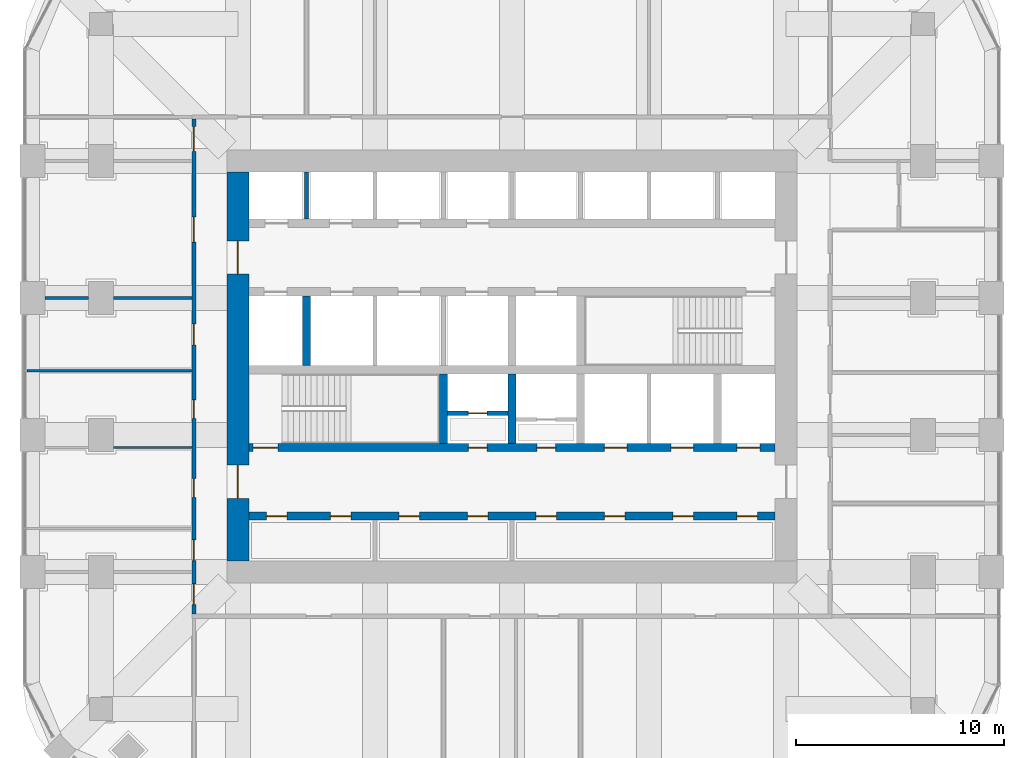
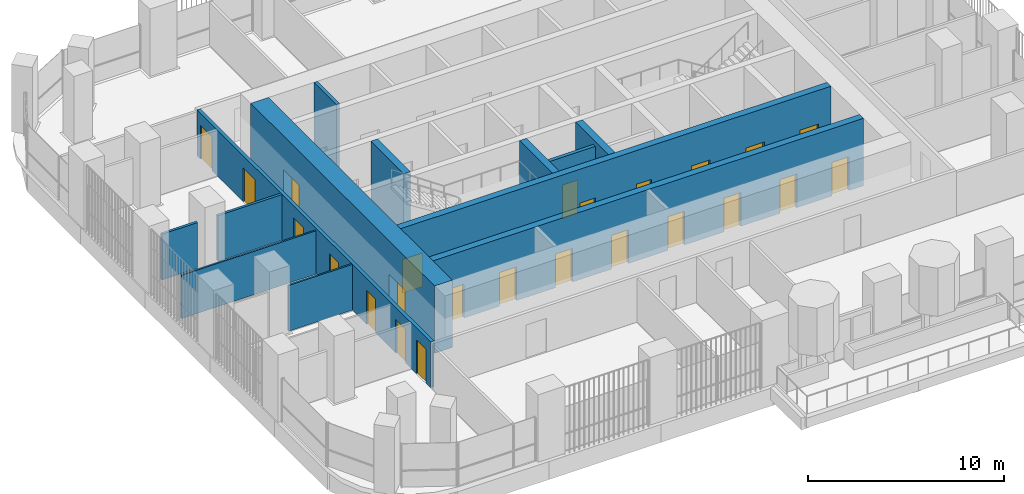
# One storey, part 13 of 19: 24 doors, 13 walls, 24 openings.
"""IFC4 building model written with IfcOpenShell, lengths in metres."""

from ifc_helpers import new_model, si_unit, direction, frame, frame_2d, origin, place, context, subcontext, project, spatial, rectangle, extrude, material, layer, layer_set, type_object, element, fill, save


model = new_model("IFC4")

# Units and contexts
model_context = context("Model", 3, precision=1e-05, world=origin(), true_north=direction((0.0, 1.0)))
body_context = subcontext(model_context, "Body", "Model", "MODEL_VIEW")
ifc_project = project(units=[si_unit("LENGTHUNIT", "METRE"), si_unit("AREAUNIT", "SQUARE_METRE"), si_unit("VOLUMEUNIT", "CUBIC_METRE"), si_unit("PLANEANGLEUNIT", "RADIAN"), si_unit("MASSUNIT", "GRAM", prefix="KILO")], contexts=[model_context])

# Site, building, storey
site_placement = place(None, origin())
site = spatial("IfcSite", under=ifc_project, at=site_placement, CompositionType="ELEMENT")
building_placement = place(site_placement, origin())
building = spatial("IfcBuilding", under=site, at=building_placement, Name="Cobogo Forest Laboratory Tower", CompositionType="ELEMENT")
storey_placement = place(building_placement, frame((0.0, 0.0, 197.699951171875)))
storey = spatial("IfcBuildingStorey", under=building, at=storey_placement, Name="L45", CompositionType="ELEMENT", Elevation=197.699951171875)

# Wall, openings, doors
ifc_material_1 = material(Name="Concrete HA-50 (C50/60)", Category="concrete")
ifc_layer_1 = layer(ifc_material_1, 0.39990234375)
ifc_layer_set_1 = layer_set([ifc_layer_1], Name="CI400 core inner wall 400")
wall_type_1 = type_object("IfcWallType", Name="CI400 core inner wall 400", PredefinedType="SHEAR", material=ifc_layer_set_1)
wall_1_placement = place(storey_placement, frame((13.72509765625, 15.89990234375, 0.0), z_axis=(0.0, 0.0, 1.0), x_axis=(1.0, 0.0, 0.0)))
wall_1 = element("IfcWall", 1, at=wall_1_placement, inside=storey, type_object=wall_type_1, Name="Core wall CI-15.9 L45", PredefinedType="SHEAR", context=body_context, shape_type="SweptSolid", body=[
    extrude(rectangle(XDim=25.349853515625, YDim=0.39990234375, at=frame_2d((12.6748046875, 0.0))), origin(), (0.0, 0.0, 1.0), 4.199951171875),
])
opening_1_placement = place(wall_1_placement, frame((0.83740234375, 0.0, 0.0)))
opening_1 = element("IfcOpeningElement", 2, at=opening_1_placement, cuts=wall_1, Name="Opening L45-D09", PredefinedType="OPENING", context=body_context, shape_type="SweptSolid", body=[
    extrude(rectangle(XDim=1.0, YDim=2.10009765625, at=frame_2d((0.5, 1.050048828125))), frame((0.0, 0.2099609375, 0.0), z_axis=(0.0, -1.0, 0.0), x_axis=(1.0, 0.0, 0.0)), (0.0, 0.0, 1.0), 0.419921875),
])
opening_2_placement = place(wall_1_placement, frame((3.925048828125, 0.0, 0.0)))
opening_2 = element("IfcOpeningElement", 3, at=opening_2_placement, cuts=wall_1, Name="Opening L45-D10", PredefinedType="OPENING", context=body_context, shape_type="SweptSolid", body=[
    extrude(rectangle(XDim=1.0, YDim=2.10009765625, at=frame_2d((0.5, 1.050048828125))), frame((0.0, 0.2099609375, 0.0), z_axis=(0.0, -1.0, 0.0), x_axis=(1.0, 0.0, 0.0)), (0.0, 0.0, 1.0), 0.419921875),
])
opening_3_placement = place(wall_1_placement, frame((7.22509765625, 0.0, 0.0)))
opening_3 = element("IfcOpeningElement", 4, at=opening_3_placement, cuts=wall_1, Name="Opening L45-D11", PredefinedType="OPENING", context=body_context, shape_type="SweptSolid", body=[
    extrude(rectangle(XDim=1.0, YDim=2.10009765625, at=frame_2d((0.5, 1.050048828125))), frame((0.0, 0.2099609375, 0.0), z_axis=(0.0, -1.0, 0.0), x_axis=(1.0, 0.0, 0.0)), (0.0, 0.0, 1.0), 0.419921875),
])
opening_4_placement = place(wall_1_placement, frame((10.52490234375, 0.0, 0.0)))
opening_4 = element("IfcOpeningElement", 5, at=opening_4_placement, cuts=wall_1, Name="Opening L45-D12", PredefinedType="OPENING", context=body_context, shape_type="SweptSolid", body=[
    extrude(rectangle(XDim=1.0, YDim=2.10009765625, at=frame_2d((0.5, 1.050048828125))), frame((0.0, 0.2099609375, 0.0), z_axis=(0.0, -1.0, 0.0), x_axis=(1.0, 0.0, 0.0)), (0.0, 0.0, 1.0), 0.419921875),
])
opening_5_placement = place(wall_1_placement, frame((13.824951171875, 0.0, 0.0)))
opening_5 = element("IfcOpeningElement", 6, at=opening_5_placement, cuts=wall_1, Name="Opening L45-D13", PredefinedType="OPENING", context=body_context, shape_type="SweptSolid", body=[
    extrude(rectangle(XDim=1.0, YDim=2.10009765625, at=frame_2d((0.5, 1.050048828125))), frame((0.0, 0.2099609375, 0.0), z_axis=(0.0, -1.0, 0.0), x_axis=(1.0, 0.0, 0.0)), (0.0, 0.0, 1.0), 0.419921875),
])
opening_6_placement = place(wall_1_placement, frame((17.125, 0.0, 0.0)))
opening_6 = element("IfcOpeningElement", 7, at=opening_6_placement, cuts=wall_1, Name="Opening L45-D14", PredefinedType="OPENING", context=body_context, shape_type="SweptSolid", body=[
    extrude(rectangle(XDim=1.0, YDim=2.10009765625, at=frame_2d((0.5, 1.050048828125))), frame((0.0, 0.2099609375, 0.0), z_axis=(0.0, -1.0, 0.0), x_axis=(1.0, 0.0, 0.0)), (0.0, 0.0, 1.0), 0.419921875),
])
opening_7_placement = place(wall_1_placement, frame((20.425048828125, 0.0, 0.0)))
opening_7 = element("IfcOpeningElement", 8, at=opening_7_placement, cuts=wall_1, Name="Opening L45-D15", PredefinedType="OPENING", context=body_context, shape_type="SweptSolid", body=[
    extrude(rectangle(XDim=1.0, YDim=2.10009765625, at=frame_2d((0.5, 1.050048828125))), frame((0.0, 0.2099609375, 0.0), z_axis=(0.0, -1.0, 0.0), x_axis=(1.0, 0.0, 0.0)), (0.0, 0.0, 1.0), 0.419921875),
])
opening_8_placement = place(wall_1_placement, frame((23.512451171875, 0.0, 0.0)))
opening_8 = element("IfcOpeningElement", 9, at=opening_8_placement, cuts=wall_1, Name="Opening L45-D16", PredefinedType="OPENING", context=body_context, shape_type="SweptSolid", body=[
    extrude(rectangle(XDim=1.0, YDim=2.10009765625, at=frame_2d((0.5, 1.050048828125))), frame((0.0, 0.2099609375, 0.0), z_axis=(0.0, -1.0, 0.0), x_axis=(1.0, 0.0, 0.0)), (0.0, 0.0, 1.0), 0.419921875),
])
ifc_material_2 = material(Name="Steel fire door", Category="steel")
door_type_1 = type_object("IfcDoorType", Name="FD1 fire door 1000 EI2 60", OperationType="SINGLE_SWING_LEFT", PredefinedType="DOOR", material=ifc_material_2)
door_1_placement = place(opening_1_placement, origin())
door_1 = element("IfcDoor", 10, at=door_1_placement, inside=storey, type_object=door_type_1, Name="Door L45-SH-LA1", OperationType="SINGLE_SWING_LEFT", OverallHeight=2.10009765625, OverallWidth=1.0, PredefinedType="DOOR", context=body_context, shape_type="SweptSolid", body=[
    extrude(rectangle(XDim=1.0, YDim=2.10009765625, at=frame_2d((0.5, 1.050048828125))), frame((0.0, 0.02490234375, 0.0), z_axis=(0.0, -1.0, 0.0), x_axis=(1.0, 0.0, 0.0)), (0.0, 0.0, 1.0), 0.050048828125),
])
fill(opening_1, door_1)
door_2_placement = place(opening_2_placement, origin())
door_2 = element("IfcDoor", 11, at=door_2_placement, inside=storey, type_object=door_type_1, Name="Door L45-SH-LA2", OperationType="SINGLE_SWING_LEFT", OverallHeight=2.10009765625, OverallWidth=1.0, PredefinedType="DOOR", context=body_context, shape_type="SweptSolid", body=[
    extrude(rectangle(XDim=1.0, YDim=2.10009765625, at=frame_2d((0.5, 1.050048828125))), frame((0.0, 0.02490234375, 0.0), z_axis=(0.0, -1.0, 0.0), x_axis=(1.0, 0.0, 0.0)), (0.0, 0.0, 1.0), 0.050048828125),
])
fill(opening_2, door_2)
door_3_placement = place(opening_3_placement, origin())
door_3 = element("IfcDoor", 12, at=door_3_placement, inside=storey, type_object=door_type_1, Name="Door L45-SH-LA3", OperationType="SINGLE_SWING_LEFT", OverallHeight=2.10009765625, OverallWidth=1.0, PredefinedType="DOOR", context=body_context, shape_type="SweptSolid", body=[
    extrude(rectangle(XDim=1.0, YDim=2.10009765625, at=frame_2d((0.5, 1.050048828125))), frame((0.0, 0.02490234375, 0.0), z_axis=(0.0, -1.0, 0.0), x_axis=(1.0, 0.0, 0.0)), (0.0, 0.0, 1.0), 0.050048828125),
])
fill(opening_3, door_3)
door_4_placement = place(opening_4_placement, origin())
door_4 = element("IfcDoor", 13, at=door_4_placement, inside=storey, type_object=door_type_1, Name="Door L45-SH-LA4", OperationType="SINGLE_SWING_LEFT", OverallHeight=2.10009765625, OverallWidth=1.0, PredefinedType="DOOR", context=body_context, shape_type="SweptSolid", body=[
    extrude(rectangle(XDim=1.0, YDim=2.10009765625, at=frame_2d((0.5, 1.050048828125))), frame((0.0, 0.02490234375, 0.0), z_axis=(0.0, -1.0, 0.0), x_axis=(1.0, 0.0, 0.0)), (0.0, 0.0, 1.0), 0.050048828125),
])
fill(opening_4, door_4)
door_5_placement = place(opening_5_placement, origin())
door_5 = element("IfcDoor", 14, at=door_5_placement, inside=storey, type_object=door_type_1, Name="Door L45-SH-LB1", OperationType="SINGLE_SWING_RIGHT", OverallHeight=2.10009765625, OverallWidth=1.0, PredefinedType="DOOR", context=body_context, shape_type="SweptSolid", body=[
    extrude(rectangle(XDim=1.0, YDim=2.10009765625, at=frame_2d((0.5, 1.050048828125))), frame((0.0, 0.02490234375, 0.0), z_axis=(0.0, -1.0, 0.0), x_axis=(1.0, 0.0, 0.0)), (0.0, 0.0, 1.0), 0.050048828125),
])
fill(opening_5, door_5)
door_6_placement = place(opening_6_placement, origin())
door_6 = element("IfcDoor", 15, at=door_6_placement, inside=storey, type_object=door_type_1, Name="Door L45-SH-LB2", OperationType="SINGLE_SWING_RIGHT", OverallHeight=2.10009765625, OverallWidth=1.0, PredefinedType="DOOR", context=body_context, shape_type="SweptSolid", body=[
    extrude(rectangle(XDim=1.0, YDim=2.10009765625, at=frame_2d((0.5, 1.050048828125))), frame((0.0, 0.02490234375, 0.0), z_axis=(0.0, -1.0, 0.0), x_axis=(1.0, 0.0, 0.0)), (0.0, 0.0, 1.0), 0.050048828125),
])
fill(opening_6, door_6)
door_7_placement = place(opening_7_placement, origin())
door_7 = element("IfcDoor", 16, at=door_7_placement, inside=storey, type_object=door_type_1, Name="Door L45-SH-LB3", OperationType="SINGLE_SWING_RIGHT", OverallHeight=2.10009765625, OverallWidth=1.0, PredefinedType="DOOR", context=body_context, shape_type="SweptSolid", body=[
    extrude(rectangle(XDim=1.0, YDim=2.10009765625, at=frame_2d((0.5, 1.050048828125))), frame((0.0, 0.02490234375, 0.0), z_axis=(0.0, -1.0, 0.0), x_axis=(1.0, 0.0, 0.0)), (0.0, 0.0, 1.0), 0.050048828125),
])
fill(opening_7, door_7)
door_8_placement = place(opening_8_placement, origin())
door_8 = element("IfcDoor", 17, at=door_8_placement, inside=storey, type_object=door_type_1, Name="Door L45-SH-LB4", OperationType="SINGLE_SWING_RIGHT", OverallHeight=2.10009765625, OverallWidth=1.0, PredefinedType="DOOR", context=body_context, shape_type="SweptSolid", body=[
    extrude(rectangle(XDim=1.0, YDim=2.10009765625, at=frame_2d((0.5, 1.050048828125))), frame((0.0, 0.02490234375, 0.0), z_axis=(0.0, -1.0, 0.0), x_axis=(1.0, 0.0, 0.0)), (0.0, 0.0, 1.0), 0.050048828125),
])
fill(opening_8, door_8)

wall_2_placement = place(storey_placement, frame((13.72509765625, 19.199951171875, 0.0), z_axis=(0.0, 0.0, 1.0), x_axis=(1.0, 0.0, 0.0)))
wall_2 = element("IfcWall", 18, at=wall_2_placement, inside=storey, type_object=wall_type_1, Name="Core wall CI-19.2 L45", PredefinedType="SHEAR", context=body_context, shape_type="SweptSolid", body=[
    extrude(rectangle(XDim=25.349853515625, YDim=0.39990234375, at=frame_2d((12.6748046875, 0.0))), origin(), (0.0, 0.0, 1.0), 4.199951171875),
])
opening_9_placement = place(wall_2_placement, frame((10.574951171875, 0.0, 0.0)))
opening_9 = element("IfcOpeningElement", 19, at=opening_9_placement, cuts=wall_2, Name="Opening L45-D22", PredefinedType="OPENING", context=body_context, shape_type="SweptSolid", body=[
    extrude(rectangle(XDim=0.89990234375, YDim=2.10009765625, at=frame_2d((0.449951171875, 1.050048828125))), frame((0.0, 0.2099609375, 0.0), z_axis=(0.0, -1.0, 0.0), x_axis=(1.0, 0.0, 0.0)), (0.0, 0.0, 1.0), 0.419921875),
])
opening_10_placement = place(wall_2_placement, frame((13.875, 0.0, 0.0)))
opening_10 = element("IfcOpeningElement", 20, at=opening_10_placement, cuts=wall_2, Name="Opening L45-D23", PredefinedType="OPENING", context=body_context, shape_type="SweptSolid", body=[
    extrude(rectangle(XDim=0.89990234375, YDim=2.10009765625, at=frame_2d((0.449951171875, 1.050048828125))), frame((0.0, 0.2099609375, 0.0), z_axis=(0.0, -1.0, 0.0), x_axis=(1.0, 0.0, 0.0)), (0.0, 0.0, 1.0), 0.419921875),
])
opening_11_placement = place(wall_2_placement, frame((0.199951171875, 0.0, 0.0)))
opening_11 = element("IfcOpeningElement", 21, at=opening_11_placement, cuts=wall_2, Name="Opening L45-D21", PredefinedType="OPENING", context=body_context, shape_type="SweptSolid", body=[
    extrude(rectangle(XDim=1.199951171875, YDim=2.10009765625, at=frame_2d((0.60009765625, 1.050048828125))), frame((0.0, 0.2099609375, 0.0), z_axis=(0.0, -1.0, 0.0), x_axis=(1.0, 0.0, 0.0)), (0.0, 0.0, 1.0), 0.419921875),
])
opening_12_placement = place(wall_2_placement, frame((23.512451171875, 0.0, 0.0)))
opening_12 = element("IfcOpeningElement", 22, at=opening_12_placement, cuts=wall_2, Name="Opening L45-LD-FL2", PredefinedType="OPENING", context=body_context, shape_type="SweptSolid", body=[
    extrude(rectangle(XDim=1.10009765625, YDim=2.10009765625, at=frame_2d((0.550048828125, 1.050048828125))), frame((0.0, 0.2099609375, 0.0), z_axis=(0.0, -1.0, 0.0), x_axis=(1.0, 0.0, 0.0)), (0.0, 0.0, 1.0), 0.419921875),
])
opening_13_placement = place(wall_2_placement, frame((17.125, 0.0, 0.0)))
opening_13 = element("IfcOpeningElement", 23, at=opening_13_placement, cuts=wall_2, Name="Opening L45-LD-LS1", PredefinedType="OPENING", context=body_context, shape_type="SweptSolid", body=[
    extrude(rectangle(XDim=1.10009765625, YDim=2.10009765625, at=frame_2d((0.550048828125, 1.050048828125))), frame((0.0, 0.2099609375, 0.0), z_axis=(0.0, -1.0, 0.0), x_axis=(1.0, 0.0, 0.0)), (0.0, 0.0, 1.0), 0.419921875),
])
opening_14_placement = place(wall_2_placement, frame((20.324951171875, 0.0, 0.0)))
opening_14 = element("IfcOpeningElement", 24, at=opening_14_placement, cuts=wall_2, Name="Opening L45-LD-LS2", PredefinedType="OPENING", context=body_context, shape_type="SweptSolid", body=[
    extrude(rectangle(XDim=1.10009765625, YDim=2.10009765625, at=frame_2d((0.550048828125, 1.050048828125))), frame((0.0, 0.2099609375, 0.0), z_axis=(0.0, -1.0, 0.0), x_axis=(1.0, 0.0, 0.0)), (0.0, 0.0, 1.0), 0.419921875),
])
door_type_2 = type_object("IfcDoorType", Name="DS1 protected stair door 1200 EI2 60", OperationType="SINGLE_SWING_LEFT", PredefinedType="DOOR", material=ifc_material_2)
door_9_placement = place(opening_11_placement, origin())
door_9 = element("IfcDoor", 25, at=door_9_placement, inside=storey, type_object=door_type_2, Name="Door L45-ST1", OperationType="SINGLE_SWING_LEFT", OverallHeight=2.10009765625, OverallWidth=1.199951171875, PredefinedType="DOOR", context=body_context, shape_type="SweptSolid", body=[
    extrude(rectangle(XDim=1.199951171875, YDim=2.10009765625, at=frame_2d((0.60009765625, 1.050048828125))), frame((0.0, 0.02490234375, 0.0), z_axis=(0.0, -1.0, 0.0), x_axis=(1.0, 0.0, 0.0)), (0.0, 0.0, 1.0), 0.050048828125),
])
fill(opening_11, door_9)
door_type_3 = type_object("IfcDoorType", Name="FD4 riser access door 900 EI2 60", OperationType="SINGLE_SWING_LEFT", PredefinedType="DOOR", material=ifc_material_2)
door_10_placement = place(opening_9_placement, origin())
door_10 = element("IfcDoor", 26, at=door_10_placement, inside=storey, type_object=door_type_3, Name="Door L45-R1V", OperationType="SINGLE_SWING_LEFT", OverallHeight=2.10009765625, OverallWidth=0.89990234375, PredefinedType="DOOR", context=body_context, shape_type="SweptSolid", body=[
    extrude(rectangle(XDim=0.89990234375, YDim=2.10009765625, at=frame_2d((0.449951171875, 1.050048828125))), frame((0.0, 0.02490234375, 0.0), z_axis=(0.0, -1.0, 0.0), x_axis=(1.0, 0.0, 0.0)), (0.0, 0.0, 1.0), 0.050048828125),
])
fill(opening_9, door_10)
door_11_placement = place(opening_10_placement, origin())
door_11 = element("IfcDoor", 27, at=door_11_placement, inside=storey, type_object=door_type_3, Name="Door L45-R2V", OperationType="SINGLE_SWING_RIGHT", OverallHeight=2.10009765625, OverallWidth=0.89990234375, PredefinedType="DOOR", context=body_context, shape_type="SweptSolid", body=[
    extrude(rectangle(XDim=0.89990234375, YDim=2.10009765625, at=frame_2d((0.449951171875, 1.050048828125))), frame((0.0, 0.02490234375, 0.0), z_axis=(0.0, -1.0, 0.0), x_axis=(1.0, 0.0, 0.0)), (0.0, 0.0, 1.0), 0.050048828125),
])
fill(opening_10, door_11)
ifc_material_3 = material(Name="Stainless steel lift door", Category="steel")
door_type_4 = type_object("IfcDoorType", Name="LD lift landing door 1100", OperationType="DOUBLE_DOOR_SLIDING", PredefinedType="DOOR", material=ifc_material_3)
door_12_placement = place(opening_12_placement, origin())
door_12 = element("IfcDoor", 28, at=door_12_placement, inside=storey, type_object=door_type_4, Name="Lift landing door FL2 L45", OperationType="DOUBLE_DOOR_SLIDING", OverallHeight=2.10009765625, OverallWidth=1.10009765625, PredefinedType="DOOR", context=body_context, shape_type="SweptSolid", body=[
    extrude(rectangle(XDim=1.10009765625, YDim=2.10009765625, at=frame_2d((0.550048828125, 1.050048828125))), frame((0.0, 0.02490234375, 0.0), z_axis=(0.0, -1.0, 0.0), x_axis=(1.0, 0.0, 0.0)), (0.0, 0.0, 1.0), 0.050048828125),
])
fill(opening_12, door_12)
door_13_placement = place(opening_13_placement, origin())
door_13 = element("IfcDoor", 29, at=door_13_placement, inside=storey, type_object=door_type_4, Name="Lift landing door LS1 L45", OperationType="DOUBLE_DOOR_SLIDING", OverallHeight=2.10009765625, OverallWidth=1.10009765625, PredefinedType="DOOR", context=body_context, shape_type="SweptSolid", body=[
    extrude(rectangle(XDim=1.10009765625, YDim=2.10009765625, at=frame_2d((0.550048828125, 1.050048828125))), frame((0.0, 0.02490234375, 0.0), z_axis=(0.0, -1.0, 0.0), x_axis=(1.0, 0.0, 0.0)), (0.0, 0.0, 1.0), 0.050048828125),
])
fill(opening_13, door_13)
door_14_placement = place(opening_14_placement, origin())
door_14 = element("IfcDoor", 30, at=door_14_placement, inside=storey, type_object=door_type_4, Name="Lift landing door LS2 L45", OperationType="DOUBLE_DOOR_SLIDING", OverallHeight=2.10009765625, OverallWidth=1.10009765625, PredefinedType="DOOR", context=body_context, shape_type="SweptSolid", body=[
    extrude(rectangle(XDim=1.10009765625, YDim=2.10009765625, at=frame_2d((0.550048828125, 1.050048828125))), frame((0.0, 0.02490234375, 0.0), z_axis=(0.0, -1.0, 0.0), x_axis=(1.0, 0.0, 0.0)), (0.0, 0.0, 1.0), 0.050048828125),
])
fill(opening_14, door_14)

# Walls
for number, where, z_axis, x_axis, name in (
    (31, (23.10009765625, 19.39990234375, 0.0), (0.0, 0.0, 1.0), (0.0, 1.0, 0.0), "Core wall CX-23.1 L45"),
    (32, (26.39990234375, 19.39990234375, 0.0), (0.0, 0.0, 1.0), (0.0, 1.0, 0.0), "Core wall CX-26.4S L45"),
    (33, (16.5, 23.14990234375, 0.0), (0.0, 0.0, 1.0), (0.0, 1.0, 0.0), "Core wall CX-16.5 L45"),
):
    element("IfcWall", number, at=place(storey_placement, frame(where, z_axis=z_axis, x_axis=x_axis)), inside=storey, type_object=wall_type_1, Name=name, PredefinedType="SHEAR", context=body_context, shape_type="SweptSolid", body=[
        extrude(rectangle(XDim=3.35009765625, YDim=0.39990234375, at=frame_2d((1.675048828125, 0.0))), origin(), (0.0, 0.0, 1.0), 4.199951171875),
    ])

# Wall, openings, doors
ifc_layer_2 = layer(ifc_material_1, 1.050048828125)
ifc_layer_set_2 = layer_set([ifc_layer_2], Name="CW1050 core outer wall 1050")
wall_type_2 = type_object("IfcWallType", Name="CW1050 core outer wall 1050", PredefinedType="SHEAR", material=ifc_layer_set_2)
wall_3_placement = place(storey_placement, frame((13.199951171875, 32.47509765625, 0.0), z_axis=(0.0, 0.0, 1.0), x_axis=(0.0, -1.0, 0.0)))
wall_3 = element("IfcWall", 34, at=wall_3_placement, inside=storey, type_object=wall_type_2, Name="Core wall CO-W L45", PredefinedType="SHEAR", context=body_context, shape_type="SweptSolid", body=[
    extrude(rectangle(XDim=18.75, YDim=1.050048828125, at=frame_2d((9.375, 0.0))), origin(), (0.0, 0.0, 1.0), 4.199951171875),
])
opening_15_placement = place(wall_3_placement, frame((14.125, 0.0, 0.0)))
opening_15 = element("IfcOpeningElement", 35, at=opening_15_placement, cuts=wall_3, Name="Opening L45-D18", PredefinedType="OPENING", context=body_context, shape_type="SweptSolid", body=[
    extrude(rectangle(XDim=1.60009765625, YDim=2.10009765625, at=frame_2d((0.800048828125, 1.050048828125))), frame((0.0, 0.534912109375, 0.0), z_axis=(0.0, -1.0, 0.0), x_axis=(1.0, 0.0, 0.0)), (0.0, 0.0, 1.0), 1.070068359375),
])
opening_16_placement = place(wall_3_placement, frame((3.324951171875, 0.0, 0.0)))
opening_16 = element("IfcOpeningElement", 36, at=opening_16_placement, cuts=wall_3, Name="Opening L45-D32", PredefinedType="OPENING", context=body_context, shape_type="SweptSolid", body=[
    extrude(rectangle(XDim=1.60009765625, YDim=2.10009765625, at=frame_2d((0.800048828125, 1.050048828125))), frame((0.0, 0.534912109375, 0.0), z_axis=(0.0, -1.0, 0.0), x_axis=(1.0, 0.0, 0.0)), (0.0, 0.0, 1.0), 1.070068359375),
])
door_type_5 = type_object("IfcDoorType", Name="DS2 protected lobby door pair 1600 EI2 60", OperationType="DOUBLE_DOOR_DOUBLE_SWING", PredefinedType="DOOR", material=ifc_material_2)
door_15_placement = place(opening_15_placement, origin())
door_15 = element("IfcDoor", 37, at=door_15_placement, inside=storey, type_object=door_type_5, Name="Door L45-CO-W-S", OperationType="DOUBLE_DOOR_DOUBLE_SWING", OverallHeight=2.10009765625, OverallWidth=1.60009765625, PredefinedType="DOOR", context=body_context, shape_type="SweptSolid", body=[
    extrude(rectangle(XDim=1.60009765625, YDim=2.10009765625, at=frame_2d((0.800048828125, 1.050048828125))), frame((0.0, 0.02490234375, 0.0), z_axis=(0.0, -1.0, 0.0), x_axis=(1.0, 0.0, 0.0)), (0.0, 0.0, 1.0), 0.050048828125),
])
fill(opening_15, door_15)
door_16_placement = place(opening_16_placement, origin())
door_16 = element("IfcDoor", 38, at=door_16_placement, inside=storey, type_object=door_type_5, Name="Door L45-CO-W-N", OperationType="DOUBLE_DOOR_DOUBLE_SWING", OverallHeight=2.10009765625, OverallWidth=1.60009765625, PredefinedType="DOOR", context=body_context, shape_type="SweptSolid", body=[
    extrude(rectangle(XDim=1.60009765625, YDim=2.10009765625, at=frame_2d((0.800048828125, 1.050048828125))), frame((0.0, 0.02490234375, 0.0), z_axis=(0.0, -1.0, 0.0), x_axis=(1.0, 0.0, 0.0)), (0.0, 0.0, 1.0), 0.050048828125),
])
fill(opening_16, door_16)

# Walls
ifc_material_4 = material(Name="Gypsum board on steel studs", Category="steel")
ifc_layer_3 = layer(ifc_material_4, 0.14990234375)
ifc_layer_set_3 = layer_set([ifc_layer_3], Name="PT1 laboratory partition 150")
wall_type_3 = type_object("IfcWallType", Name="PT1 laboratory partition 150", PredefinedType="PARTITIONING", material=ifc_layer_set_3)
wall_4_placement = place(storey_placement, frame((3.89990234375, 26.39990234375, 0.0), z_axis=(0.0, 0.0, 1.0), x_axis=(1.0, 0.0, 0.0)))
element("IfcWall", 39, at=wall_4_placement, inside=storey, type_object=wall_type_3, Name="Partition CUT-W26.4-1 L45", PredefinedType="PARTITIONING", context=body_context, shape_type="SweptSolid", body=[
    extrude(rectangle(XDim=2.10009765625, YDim=0.14990234375, at=frame_2d((1.050048828125, 0.0))), origin(), (0.0, 0.0, 1.0), 2.85009765625),
])
wall_5_placement = place(storey_placement, frame((7.199951171875, 26.39990234375, 0.0), z_axis=(0.0, 0.0, 1.0), x_axis=(1.0, 0.0, 0.0)))
element("IfcWall", 40, at=wall_5_placement, inside=storey, type_object=wall_type_3, Name="Partition CUT-W26.4-2 L45", PredefinedType="PARTITIONING", context=body_context, shape_type="SweptSolid", body=[
    extrude(rectangle(XDim=3.775146484375, YDim=0.14990234375, at=frame_2d((1.8876953125, 0.0))), origin(), (0.0, 0.0, 1.0), 2.85009765625),
])

# Wall, openings, doors
ifc_layer_4 = layer(ifc_material_4, 0.199951171875)
ifc_layer_set_4 = layer_set([ifc_layer_4], Name="PT2 fire-rated corridor partition 200")
wall_type_4 = type_object("IfcWallType", Name="PT2 fire-rated corridor partition 200", PredefinedType="PARTITIONING", material=ifc_layer_set_4)
wall_6_placement = place(storey_placement, frame((11.074951171875, 11.175048828125, 0.0), z_axis=(0.0, 0.0, 1.0), x_axis=(0.0, 1.0, 0.0)))
wall_6 = element("IfcWall", 41, at=wall_6_placement, inside=storey, type_object=wall_type_4, Name="Partition CORR-W L45", PredefinedType="PARTITIONING", context=body_context, shape_type="SweptSolid", body=[
    extrude(rectangle(XDim=23.849853515625, YDim=0.199951171875, at=frame_2d((11.9248046875, 0.0))), origin(), (0.0, 0.0, 1.0), 2.85009765625),
])
opening_17_placement = place(wall_6_placement, frame((0.46240234375, 0.0, 0.0)))
opening_17 = element("IfcOpeningElement", 42, at=opening_17_placement, cuts=wall_6, Name="Opening L45-D06", PredefinedType="OPENING", context=body_context, shape_type="SweptSolid", body=[
    extrude(rectangle(XDim=1.0, YDim=2.10009765625, at=frame_2d((0.5, 1.050048828125))), frame((0.0, 0.10986328125, 0.0), z_axis=(0.0, -1.0, 0.0), x_axis=(1.0, 0.0, 0.0)), (0.0, 0.0, 1.0), 0.219970703125),
])
opening_18_placement = place(wall_6_placement, frame((2.574951171875, 0.0, 0.0)))
opening_18 = element("IfcOpeningElement", 43, at=opening_18_placement, cuts=wall_6, Name="Opening L45-D08", PredefinedType="OPENING", context=body_context, shape_type="SweptSolid", body=[
    extrude(rectangle(XDim=1.0, YDim=2.10009765625, at=frame_2d((0.5, 1.050048828125))), frame((0.0, 0.10986328125, 0.0), z_axis=(0.0, -1.0, 0.0), x_axis=(1.0, 0.0, 0.0)), (0.0, 0.0, 1.0), 0.219970703125),
])
opening_19_placement = place(wall_6_placement, frame((5.625, 0.0, 0.0)))
opening_19 = element("IfcOpeningElement", 44, at=opening_19_placement, cuts=wall_6, Name="Opening L45-D17", PredefinedType="OPENING", context=body_context, shape_type="SweptSolid", body=[
    extrude(rectangle(XDim=0.89990234375, YDim=2.10009765625, at=frame_2d((0.449951171875, 1.050048828125))), frame((0.0, 0.10986328125, 0.0), z_axis=(0.0, -1.0, 0.0), x_axis=(1.0, 0.0, 0.0)), (0.0, 0.0, 1.0), 0.219970703125),
])
opening_20_placement = place(wall_6_placement, frame((9.425048828125, 0.0, 0.0)))
opening_20 = element("IfcOpeningElement", 45, at=opening_20_placement, cuts=wall_6, Name="Opening L45-D26", PredefinedType="OPENING", context=body_context, shape_type="SweptSolid", body=[
    extrude(rectangle(XDim=0.89990234375, YDim=2.10009765625, at=frame_2d((0.449951171875, 1.050048828125))), frame((0.0, 0.10986328125, 0.0), z_axis=(0.0, -1.0, 0.0), x_axis=(1.0, 0.0, 0.0)), (0.0, 0.0, 1.0), 0.219970703125),
])
opening_21_placement = place(wall_6_placement, frame((12.97509765625, 0.0, 0.0)))
opening_21 = element("IfcOpeningElement", 46, at=opening_21_placement, cuts=wall_6, Name="Opening L45-D29", PredefinedType="OPENING", context=body_context, shape_type="SweptSolid", body=[
    extrude(rectangle(XDim=1.0, YDim=2.10009765625, at=frame_2d((0.5, 1.050048828125))), frame((0.0, 0.10986328125, 0.0), z_axis=(0.0, -1.0, 0.0), x_axis=(1.0, 0.0, 0.0)), (0.0, 0.0, 1.0), 0.219970703125),
])
opening_22_placement = place(wall_6_placement, frame((17.925048828125, 0.0, 0.0)))
opening_22 = element("IfcOpeningElement", 47, at=opening_22_placement, cuts=wall_6, Name="Opening L45-D34", PredefinedType="OPENING", context=body_context, shape_type="SweptSolid", body=[
    extrude(rectangle(XDim=1.199951171875, YDim=2.10009765625, at=frame_2d((0.60009765625, 1.050048828125))), frame((0.0, 0.10986328125, 0.0), z_axis=(0.0, -1.0, 0.0), x_axis=(1.0, 0.0, 0.0)), (0.0, 0.0, 1.0), 0.219970703125),
])
opening_23_placement = place(wall_6_placement, frame((22.28759765625, 0.0, 0.0)))
opening_23 = element("IfcOpeningElement", 48, at=opening_23_placement, cuts=wall_6, Name="Opening L45-D36", PredefinedType="OPENING", context=body_context, shape_type="SweptSolid", body=[
    extrude(rectangle(XDim=1.199951171875, YDim=2.10009765625, at=frame_2d((0.60009765625, 1.050048828125))), frame((0.0, 0.10986328125, 0.0), z_axis=(0.0, -1.0, 0.0), x_axis=(1.0, 0.0, 0.0)), (0.0, 0.0, 1.0), 0.219970703125),
])
ifc_material_5 = material(Name="Timber door", Category="wood")
door_type_6 = type_object("IfcDoorType", Name="D2 laboratory door 1200 unequal pair", OperationType="DOUBLE_DOOR_SINGLE_SWING", PredefinedType="DOOR", material=ifc_material_5)
door_17_placement = place(opening_22_placement, origin())
door_17 = element("IfcDoor", 49, at=door_17_placement, inside=storey, type_object=door_type_6, Name="Door L45-W3", OperationType="DOUBLE_DOOR_SINGLE_SWING", OverallHeight=2.10009765625, OverallWidth=1.199951171875, PredefinedType="DOOR", context=body_context, shape_type="SweptSolid", body=[
    extrude(rectangle(XDim=1.199951171875, YDim=2.10009765625, at=frame_2d((0.60009765625, 1.050048828125))), frame((0.0, 0.02490234375, 0.0), z_axis=(0.0, -1.0, 0.0), x_axis=(1.0, 0.0, 0.0)), (0.0, 0.0, 1.0), 0.050048828125),
])
fill(opening_22, door_17)
door_18_placement = place(opening_23_placement, origin())
door_18 = element("IfcDoor", 50, at=door_18_placement, inside=storey, type_object=door_type_6, Name="Door L45-W4", OperationType="DOUBLE_DOOR_SINGLE_SWING", OverallHeight=2.10009765625, OverallWidth=1.199951171875, PredefinedType="DOOR", context=body_context, shape_type="SweptSolid", body=[
    extrude(rectangle(XDim=1.199951171875, YDim=2.10009765625, at=frame_2d((0.60009765625, 1.050048828125))), frame((0.0, 0.02490234375, 0.0), z_axis=(0.0, -1.0, 0.0), x_axis=(1.0, 0.0, 0.0)), (0.0, 0.0, 1.0), 0.050048828125),
])
fill(opening_23, door_18)
ifc_material_6 = material(Name="Timber fire door", Category="wood")
door_type_7 = type_object("IfcDoorType", Name="FD2 fire door 1000 EI2 30", OperationType="SINGLE_SWING_LEFT", PredefinedType="DOOR", material=ifc_material_6)
door_19_placement = place(opening_17_placement, origin())
door_19 = element("IfcDoor", 51, at=door_19_placement, inside=storey, type_object=door_type_7, Name="Door L45-W1", OperationType="SINGLE_SWING_LEFT", OverallHeight=2.10009765625, OverallWidth=1.0, PredefinedType="DOOR", context=body_context, shape_type="SweptSolid", body=[
    extrude(rectangle(XDim=1.0, YDim=2.10009765625, at=frame_2d((0.5, 1.050048828125))), frame((0.0, 0.02490234375, 0.0), z_axis=(0.0, -1.0, 0.0), x_axis=(1.0, 0.0, 0.0)), (0.0, 0.0, 1.0), 0.050048828125),
])
fill(opening_17, door_19)
door_20_placement = place(opening_21_placement, origin())
door_20 = element("IfcDoor", 52, at=door_20_placement, inside=storey, type_object=door_type_7, Name="Door L45-SHW", OperationType="SINGLE_SWING_RIGHT", OverallHeight=2.10009765625, OverallWidth=1.0, PredefinedType="DOOR", context=body_context, shape_type="SweptSolid", body=[
    extrude(rectangle(XDim=1.0, YDim=2.10009765625, at=frame_2d((0.5, 1.050048828125))), frame((0.0, 0.02490234375, 0.0), z_axis=(0.0, -1.0, 0.0), x_axis=(1.0, 0.0, 0.0)), (0.0, 0.0, 1.0), 0.050048828125),
])
fill(opening_21, door_20)
door_type_8 = type_object("IfcDoorType", Name="FD3 toilet fire door 900 EI2 30", OperationType="SINGLE_SWING_LEFT", PredefinedType="DOOR", material=ifc_material_6)
door_21_placement = place(opening_19_placement, origin())
door_21 = element("IfcDoor", 53, at=door_21_placement, inside=storey, type_object=door_type_8, Name="Door L45-WCF", OperationType="SINGLE_SWING_LEFT", OverallHeight=2.10009765625, OverallWidth=0.89990234375, PredefinedType="DOOR", context=body_context, shape_type="SweptSolid", body=[
    extrude(rectangle(XDim=0.89990234375, YDim=2.10009765625, at=frame_2d((0.449951171875, 1.050048828125))), frame((0.0, 0.02490234375, 0.0), z_axis=(0.0, -1.0, 0.0), x_axis=(1.0, 0.0, 0.0)), (0.0, 0.0, 1.0), 0.050048828125),
])
fill(opening_19, door_21)
door_22_placement = place(opening_20_placement, origin())
door_22 = element("IfcDoor", 54, at=door_22_placement, inside=storey, type_object=door_type_8, Name="Door L45-WCM", OperationType="SINGLE_SWING_LEFT", OverallHeight=2.10009765625, OverallWidth=0.89990234375, PredefinedType="DOOR", context=body_context, shape_type="SweptSolid", body=[
    extrude(rectangle(XDim=0.89990234375, YDim=2.10009765625, at=frame_2d((0.449951171875, 1.050048828125))), frame((0.0, 0.02490234375, 0.0), z_axis=(0.0, -1.0, 0.0), x_axis=(1.0, 0.0, 0.0)), (0.0, 0.0, 1.0), 0.050048828125),
])
fill(opening_20, door_22)
door_type_9 = type_object("IfcDoorType", Name="FDA1 accessible toilet fire door 1000 EI2 30", OperationType="SINGLE_SWING_RIGHT", PredefinedType="DOOR", material=ifc_material_6)
door_23_placement = place(opening_18_placement, origin())
door_23 = element("IfcDoor", 55, at=door_23_placement, inside=storey, type_object=door_type_9, Name="Door L45-WCA", OperationType="SINGLE_SWING_LEFT", OverallHeight=2.10009765625, OverallWidth=1.0, PredefinedType="DOOR", context=body_context, shape_type="SweptSolid", body=[
    extrude(rectangle(XDim=1.0, YDim=2.10009765625, at=frame_2d((0.5, 1.050048828125))), frame((0.0, 0.02490234375, 0.0), z_axis=(0.0, -1.0, 0.0), x_axis=(1.0, 0.0, 0.0)), (0.0, 0.0, 1.0), 0.050048828125),
])
fill(opening_18, door_23)

# Wall, opening, door
wall_7_placement = place(storey_placement, frame((23.300048828125, 20.85009765625, 0.0), z_axis=(0.0, 0.0, 1.0), x_axis=(1.0, 0.0, 0.0)))
wall_7 = element("IfcWall", 56, at=wall_7_placement, inside=storey, type_object=wall_type_4, Name="Partition RSPLIT-R1 L45", PredefinedType="PARTITIONING", context=body_context, shape_type="SweptSolid", body=[
    extrude(rectangle(XDim=2.89990234375, YDim=0.199951171875, at=frame_2d((1.449951171875, 0.0))), origin(), (0.0, 0.0, 1.0), 3.900146484375),
])
opening_24_placement = place(wall_7_placement, frame((1.0, 0.0, 0.0)))
opening_24 = element("IfcOpeningElement", 57, at=opening_24_placement, cuts=wall_7, Name="Opening L45-D25", PredefinedType="OPENING", context=body_context, shape_type="SweptSolid", body=[
    extrude(rectangle(XDim=0.89990234375, YDim=2.10009765625, at=frame_2d((0.449951171875, 1.050048828125))), frame((0.0, 0.10986328125, 0.0), z_axis=(0.0, -1.0, 0.0), x_axis=(1.0, 0.0, 0.0)), (0.0, 0.0, 1.0), 0.219970703125),
])
door_24_placement = place(opening_24_placement, origin())
door_24 = element("IfcDoor", 58, at=door_24_placement, inside=storey, type_object=door_type_3, Name="Door L45-R1", OperationType="SINGLE_SWING_RIGHT", OverallHeight=2.10009765625, OverallWidth=0.89990234375, PredefinedType="DOOR", context=body_context, shape_type="SweptSolid", body=[
    extrude(rectangle(XDim=0.89990234375, YDim=2.10009765625, at=frame_2d((0.449951171875, 1.050048828125))), frame((0.0, 0.02490234375, 0.0), z_axis=(0.0, -1.0, 0.0), x_axis=(1.0, 0.0, 0.0)), (0.0, 0.0, 1.0), 0.050048828125),
])
fill(opening_24, door_24)

# Walls
ifc_layer_5 = layer(ifc_material_4, 0.10009765625)
ifc_layer_set_5 = layer_set([ifc_layer_5], Name="PT3 toilet partition 100")
wall_type_5 = type_object("IfcWallType", Name="PT3 toilet partition 100", PredefinedType="PARTITIONING", material=ifc_layer_set_5)
wall_8_placement = place(storey_placement, frame((7.199951171875, 19.199951171875, 0.0), z_axis=(0.0, 0.0, 1.0), x_axis=(1.0, 0.0, 0.0)))
element("IfcWall", 59, at=wall_8_placement, inside=storey, type_object=wall_type_5, Name="Partition SVC-W2-2 L45", PredefinedType="PARTITIONING", context=body_context, shape_type="SweptSolid", body=[
    extrude(rectangle(XDim=3.775146484375, YDim=0.10009765625, at=frame_2d((1.8876953125, 0.0))), origin(), (0.0, 0.0, 1.0), 2.85009765625),
])
wall_9_placement = place(storey_placement, frame((3.030029296875, 22.89990234375, 0.0), z_axis=(0.0, 0.0, 1.0), x_axis=(1.0, 0.0, 0.0)))
element("IfcWall", 60, at=wall_9_placement, inside=storey, type_object=wall_type_5, Name="Partition SVC-W3-1 L45", PredefinedType="PARTITIONING", context=body_context, shape_type="SweptSolid", body=[
    extrude(rectangle(XDim=7.945068359375, YDim=0.10009765625, at=frame_2d((3.97265625, 0.0))), origin(), (0.0, 0.0, 1.0), 2.699951171875),
])
ifc_material_7 = material(Name="Concrete block", Category="concrete")
ifc_layer_6 = layer(ifc_material_7, 0.199951171875)
ifc_layer_set_6 = layer_set([ifc_layer_6], Name="SW200 lift shaft separator 200")
wall_type_6 = type_object("IfcWallType", Name="SW200 lift shaft separator 200", PredefinedType="PARTITIONING", material=ifc_layer_set_6)
wall_10_placement = place(storey_placement, frame((16.5, 30.199951171875, 0.0), z_axis=(0.0, 0.0, 1.0), x_axis=(0.0, 1.0, 0.0)))
element("IfcWall", 61, at=wall_10_placement, inside=storey, type_object=wall_type_6, Name="Core wall SEP-N1 L45", PredefinedType="PARTITIONING", context=body_context, shape_type="SweptSolid", body=[
    extrude(rectangle(XDim=2.275146484375, YDim=0.199951171875, at=frame_2d((1.1376953125, 0.0))), origin(), (0.0, 0.0, 1.0), 4.199951171875),
])

save(model, "model.ifc")
